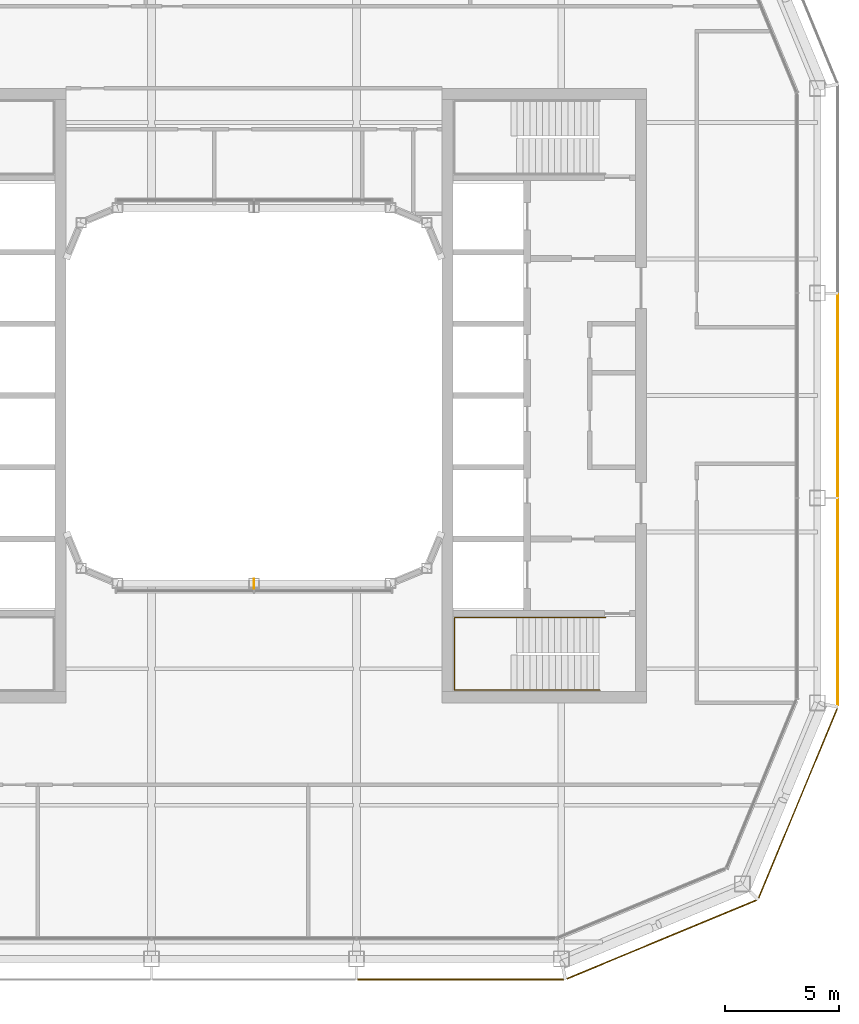
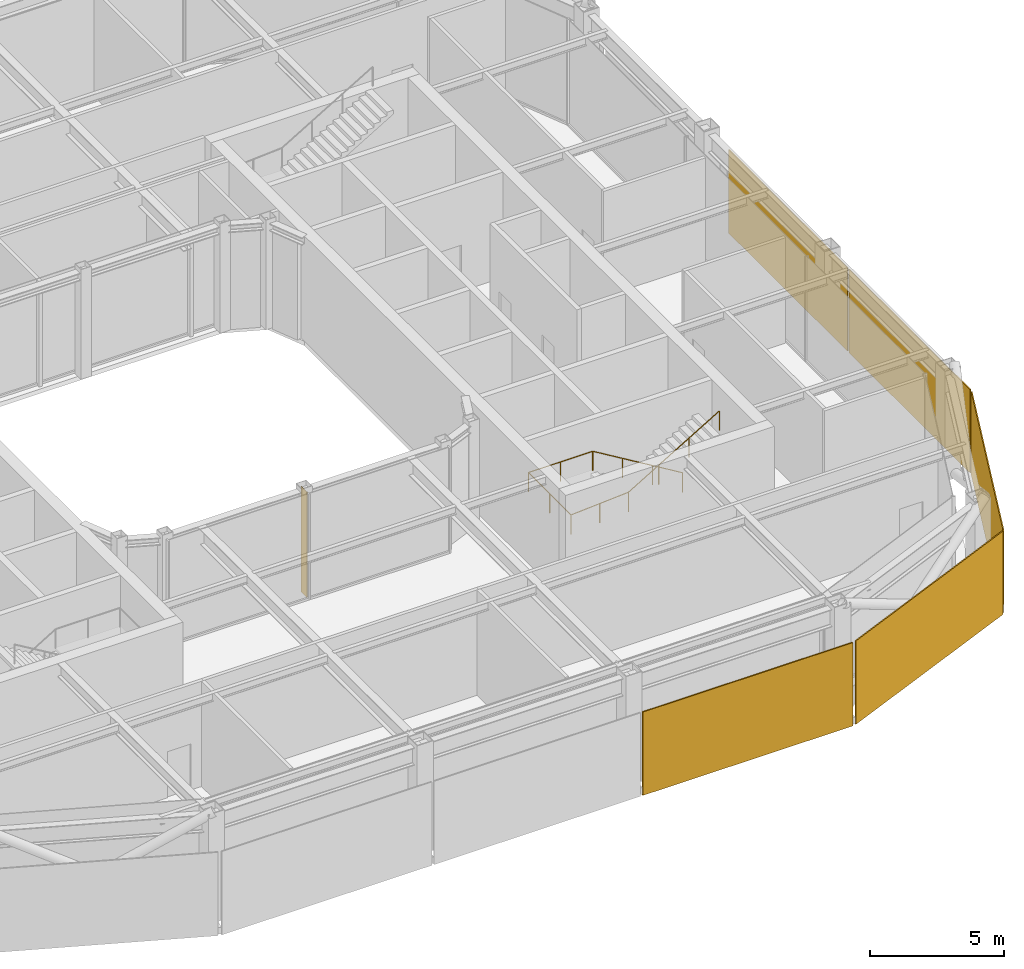
# One storey, part 15 of 17: 5 coverings, 1 railing, 1 shading device.
"""IFC4 building model written with IfcOpenShell, lengths in metres."""

import ifcopenshell
import ifcopenshell.guid

model = None  # the IFC model being written
_history = None  # IfcOwnerHistory: only IFC2X3 demands one
_inside = {}  # id of a spatial element -> (the spatial element, [elements in it])
_under = {}  # id of a project, library or spatial element -> (it, [spatial elements below it])
_declared = {}  # id of a project -> (the project, [libraries it declares])
_typed = {}  # id of a type object -> (the type object, [elements of that type])
_made_of = {}  # id of a material, layer set ... -> (it, [elements and type objects made of it])


def new_model(schema):
    """Start an empty IFC model of exactly this schema.

    Asked for "IFC4X3", IfcOpenShell would pick the latest addendum, in which some entities
    have other attributes; the version numbers below select the first issue.
    IFC2X3 requires an IfcOwnerHistory on every rooted entity: one is made here for all.
    """
    global model, _history
    if schema == "IFC4X3":
        model = ifcopenshell.file(schema_version=(4, 3, 0, 0))
    else:
        model = ifcopenshell.file(schema=schema)
    _inside.clear()
    _under.clear()
    _declared.clear()
    _typed.clear()
    _made_of.clear()
    _history = None
    if model.schema == "IFC2X3":
        org = make("IfcOrganization", Name="unknown")
        user = make(
            "IfcPersonAndOrganization",
            ThePerson=make("IfcPerson", FamilyName="unknown"),
            TheOrganization=org,
        )
        app = make(
            "IfcApplication",
            ApplicationDeveloper=org,
            Version="unknown",
            ApplicationFullName="unknown",
            ApplicationIdentifier="unknown",
        )
        _history = make(
            "IfcOwnerHistory",
            OwningUser=user,
            OwningApplication=app,
            ChangeAction="ADDED",
            CreationDate=0,
        )
    return model


def make(cls, **values):
    """One entity of the class cls with the attributes given. An attribute that is None is left unset."""
    return model.create_entity(
        cls, **{name: value for name, value in values.items() if value is not None}
    )


def rooted(cls, **values):
    """An entity with a GlobalId (a new one), such as an element, a storey or a relation."""
    return make(cls, GlobalId=ifcopenshell.guid.new(), OwnerHistory=_history, **values)


def si_unit(unit_type, name, prefix=None):
    """IfcSIUnit, for example si_unit("LENGTHUNIT", "METRE", prefix="MILLI")."""
    return make("IfcSIUnit", UnitType=unit_type, Prefix=prefix, Name=name)


def assignment(units):
    """IfcUnitAssignment: the units of a project."""
    return None if units is None else make("IfcUnitAssignment", Units=units)


def point(xyz):
    """IfcCartesianPoint."""
    return None if xyz is None else make("IfcCartesianPoint", Coordinates=xyz)


def direction(xyz):
    """IfcDirection."""
    return None if xyz is None else make("IfcDirection", DirectionRatios=xyz)


def frame(location, z_axis=None, x_axis=None):
    """IfcAxis2Placement3D, a coordinate frame: its origin and axes. An axis left out is left unset."""
    return make(
        "IfcAxis2Placement3D",
        Location=point(location),
        Axis=direction(z_axis),
        RefDirection=direction(x_axis),
    )


def frame_2d(location, x_axis=None):
    """IfcAxis2Placement2D, a coordinate frame in the plane: its origin and x axis."""
    return make(
        "IfcAxis2Placement2D", Location=point(location), RefDirection=direction(x_axis)
    )


def origin():
    """The frame at (0, 0, 0) with its axes left unset."""
    return frame((0.0, 0.0, 0.0))


def origin_2d():
    """The frame at (0, 0) in the plane with its x axis left unset."""
    return frame_2d((0.0, 0.0))


def place(relative_to, where):
    """IfcLocalPlacement: puts the frame where relative to a parent placement (None: the world)."""
    return make(
        "IfcLocalPlacement", PlacementRelTo=relative_to, RelativePlacement=where
    )


def context(
    kind, dimensions, precision=None, world=None, true_north=None, identifier=None
):
    """IfcGeometricRepresentationContext, for example the 3D "Model" context."""
    return make(
        "IfcGeometricRepresentationContext",
        ContextIdentifier=identifier,
        ContextType=kind,
        CoordinateSpaceDimension=dimensions,
        Precision=precision,
        WorldCoordinateSystem=world,
        TrueNorth=true_north,
    )


def subcontext(parent, identifier, kind, view, scale=None):
    """IfcGeometricRepresentationSubContext, for example "Body" below "Model"."""
    return make(
        "IfcGeometricRepresentationSubContext",
        ContextIdentifier=identifier,
        ContextType=kind,
        ParentContext=parent,
        TargetScale=scale,
        TargetView=view,
    )


def project(units=None, contexts=None):
    """IfcProject with its units and contexts."""
    return rooted(
        "IfcProject",
        Name="project",
        RepresentationContexts=contexts,
        UnitsInContext=assignment(units),
    )


def spatial(cls, under=None, at=None, **own):
    """A site, building, storey or space (cls), placed at a placement, below another one or the project."""
    s = rooted(cls, ObjectPlacement=at, **own)
    if under is not None:
        _under.setdefault(under.id(), (under, []))[1].append(s)
    return s


def profile(cls, at=None, kind="AREA", **sizes):
    """A parametric profile (cls). Its sizes go by their IFC names, for example OverallWidth=200.0."""
    return make(cls, ProfileType=kind, Position=at, **sizes)


def rectangle(**sizes):
    """IfcRectangleProfileDef."""
    return profile("IfcRectangleProfileDef", **sizes)


def circle(**sizes):
    """IfcCircleProfileDef."""
    return profile("IfcCircleProfileDef", **sizes)


def extrude(swept, where, along, depth):
    """IfcExtrudedAreaSolid: the profile swept, set in the frame where, extruded along a direction by depth."""
    return make(
        "IfcExtrudedAreaSolid",
        SweptArea=swept,
        Position=where,
        ExtrudedDirection=direction(along),
        Depth=depth,
    )


def shape(context_of_items, identifier, shape_type, items):
    """IfcShapeRepresentation: the items that make up one representation, for example the "Body"."""
    return make(
        "IfcShapeRepresentation",
        ContextOfItems=context_of_items,
        RepresentationIdentifier=identifier,
        RepresentationType=shape_type,
        Items=items,
    )


def material(Name=None, Category=None):
    """IfcMaterial."""
    return make("IfcMaterial", Name=Name, Category=Category)


def layer(
    of_material, thickness, ventilated=None, Name=None, Category=None, Priority=None
):
    """IfcMaterialLayer: one layer of a wall or slab, of a material (None: an air gap)."""
    return make(
        "IfcMaterialLayer",
        Material=of_material,
        LayerThickness=thickness,
        IsVentilated=ventilated,
        Name=Name,
        Category=Category,
        Priority=Priority,
    )


def layer_set(layers, Name=None):
    """IfcMaterialLayerSet."""
    return make("IfcMaterialLayerSet", MaterialLayers=layers, LayerSetName=Name)


def made_of(thing, what):
    """Note that an element or type object is made of a material, layer set ...; save() writes the relation."""
    if what is not None:
        _made_of.setdefault(what.id(), (what, []))[1].append(thing)
    return thing


def type_object(cls, material=None, **own):
    """A type object (cls), such as IfcWallType, which elements share."""
    return made_of(rooted(cls, **own), material)


def element(
    cls,
    number,
    at=None,
    inside=None,
    cuts=None,
    type_object=None,
    material=None,
    context=None,
    identifier="Body",
    shape_type=None,
    held_by="IfcProductDefinitionShape",
    body=None,
    shapes=None,
    **own,
):
    """One element of the class cls, such as IfcWall. Its Tag is "e" and its number.

    at: its placement. inside: the storey or other place that contains it. cuts: it is an
    opening in that element (IfcRelVoidsElement). A single representation is given by context,
    identifier, shape_type and body (its items); several are given by shapes. held_by: the class
    of the entity that holds the representations. save() writes the other relations.
    """
    e = rooted(cls, Tag="e%d" % number, ObjectPlacement=at, **own)
    if body is not None:
        shapes = [shape(context, identifier, shape_type, body)]
    if shapes is not None:
        e.Representation = make(held_by, Representations=shapes)
    if inside is not None:
        _inside.setdefault(inside.id(), (inside, []))[1].append(e)
    if cuts is not None:
        rooted(
            "IfcRelVoidsElement", RelatingBuildingElement=cuts, RelatedOpeningElement=e
        )
    if type_object is not None:
        _typed.setdefault(type_object.id(), (type_object, []))[1].append(e)
    return made_of(e, material)


def aggregate(whole, parts):
    """IfcRelAggregates: a whole, such as a stair, and the parts it consists of."""
    return rooted("IfcRelAggregates", RelatingObject=whole, RelatedObjects=parts)


def save(model, path):
    """Write the relations noted so far, then the file.

    IfcRelAggregates (storeys below a building ...), IfcRelContainedInSpatialStructure (elements
    in a storey), IfcRelDefinesByType, IfcRelAssociatesMaterial and IfcRelDeclares: one each for
    every whole, place, type object, material and project.
    """
    for whole, parts in _under.values():
        aggregate(whole, parts)
    for where, things in _inside.values():
        rooted(
            "IfcRelContainedInSpatialStructure",
            RelatedElements=things,
            RelatingStructure=where,
        )
    for kind, things in _typed.values():
        rooted("IfcRelDefinesByType", RelatedObjects=things, RelatingType=kind)
    for what, things in _made_of.values():
        rooted("IfcRelAssociatesMaterial", RelatedObjects=things, RelatingMaterial=what)
    for by, libraries in _declared.values():
        rooted("IfcRelDeclares", RelatingContext=by, RelatedDefinitions=libraries)
    model.write(path)


model = new_model("IFC4")

# Units and contexts
model_context = context("Model", 3, precision=1e-05, world=origin(), true_north=direction((0.0, 1.0)))
body_context = subcontext(model_context, "Body", "Model", "MODEL_VIEW")
ifc_project = project(units=[si_unit("LENGTHUNIT", "METRE"), si_unit("AREAUNIT", "SQUARE_METRE"), si_unit("VOLUMEUNIT", "CUBIC_METRE"), si_unit("PLANEANGLEUNIT", "RADIAN"), si_unit("MASSUNIT", "GRAM", prefix="KILO")], contexts=[model_context])

# Site, building, storey
site_placement = place(None, origin())
site = spatial("IfcSite", under=ifc_project, at=site_placement, CompositionType="ELEMENT")
building_placement = place(site_placement, origin())
building = spatial("IfcBuilding", under=site, at=building_placement, Name="Siwar Civic Tower", CompositionType="ELEMENT")
storey_placement = place(building_placement, frame((0.0, 0.0, 348.199951171875)))
storey = spatial("IfcBuildingStorey", under=building, at=storey_placement, Name="L75", CompositionType="ELEMENT", Elevation=348.199951171875)

# Railing
ifc_material_1 = material(Name="Stainless steel", Category="steel")
railing_type = type_object("IfcRailingType", Name="CORE-STAIR-HANDRAIL", PredefinedType="HANDRAIL", material=ifc_material_1)
railing_placement = place(storey_placement, frame((15.449951171875, -9.758056640625, 0.166748046875)))
element("IfcRailing", 1, at=railing_placement, inside=storey, type_object=railing_type, Name="Stair handrail ST4", PredefinedType="HANDRAIL", context=body_context, shape_type="SweptSolid", body=[
    extrude(circle(Radius=0.02001953125, at=origin_2d()), frame((0.0, 0.0, 0.8798828125), z_axis=(-0.856384976194, 0.0, 0.516337847296), x_axis=(0.0, -1.0, 0.0)), (0.0, 0.0, 1.0), 4.518798828125),
    extrude(circle(Radius=0.02001953125, at=origin_2d()), frame((-3.869873046875, 0.0, 3.213134765625), z_axis=(-1.0, 0.0, 0.0), x_axis=(0.0, -1.0, 0.0)), (0.0, 0.0, 1.0), 2.77197265625),
    extrude(circle(Radius=0.02001953125, at=origin_2d()), frame((-6.641845703125, 0.0, 3.213134765625), z_axis=(0.0, -1.0, 0.0), x_axis=(1.0, 0.0, 0.0)), (0.0, 0.0, 1.0), 3.183837890625),
    extrude(circle(Radius=0.02001953125, at=origin_2d()), frame((-6.641845703125, -3.183837890625, 3.213134765625), z_axis=(0.997732526271, 0.0, 0.067303833624), x_axis=(0.0, 1.0, 0.0)), (0.0, 0.0, 1.0), 2.4775390625),
    extrude(circle(Radius=0.02001953125, at=origin_2d()), frame((-4.169921875, -3.183837890625, 3.3798828125), z_axis=(0.859296244711, 0.0, 0.511478214419), x_axis=(0.0, 1.0, 0.0)), (0.0, 0.0, 1.0), 4.561767578125),
    extrude(circle(Radius=0.02001953125, at=origin_2d()), origin(), (0.0, 0.0, 1.0), 0.85986328125),
    extrude(circle(Radius=0.02001953125, at=origin_2d()), frame((-1.2900390625, 0.0, 0.77783203125)), (0.0, 0.0, 1.0), 0.85986328125),
    extrude(circle(Radius=0.02001953125, at=origin_2d()), frame((-2.579833984375, 0.0, 1.555419921875)), (0.0, 0.0, 1.0), 0.85986328125),
    extrude(circle(Radius=0.02001953125, at=origin_2d()), frame((-3.869873046875, 0.0, 2.333251953125)), (0.0, 0.0, 1.0), 0.85986328125),
    extrude(circle(Radius=0.02001953125, at=origin_2d()), frame((-5.255859375, 0.0, 2.333251953125)), (0.0, 0.0, 1.0), 0.85986328125),
    extrude(circle(Radius=0.02001953125, at=origin_2d()), frame((-6.641845703125, 0.0, 2.333251953125)), (0.0, 0.0, 1.0), 0.85986328125),
    extrude(circle(Radius=0.02001953125, at=origin_2d()), frame((-6.641845703125, -1.591796875, 2.333251953125)), (0.0, 0.0, 1.0), 0.85986328125),
    extrude(circle(Radius=0.02001953125, at=origin_2d()), frame((-6.641845703125, -3.183837890625, 2.333251953125)), (0.0, 0.0, 1.0), 0.85986328125),
    extrude(circle(Radius=0.02001953125, at=origin_2d()), frame((-5.40576171875, -3.183837890625, 2.41650390625)), (0.0, 0.0, 1.0), 0.85986328125),
    extrude(circle(Radius=0.02001953125, at=origin_2d()), frame((-4.169921875, -3.183837890625, 2.5)), (0.0, 0.0, 1.0), 0.85986328125),
    extrude(circle(Radius=0.02001953125, at=origin_2d()), frame((-2.86328125, -3.183837890625, 3.27783203125)), (0.0, 0.0, 1.0), 0.85986328125),
    extrude(circle(Radius=0.02001953125, at=origin_2d()), frame((-1.556640625, -3.183837890625, 4.055419921875)), (0.0, 0.0, 1.0), 0.85986328125),
    extrude(circle(Radius=0.02001953125, at=origin_2d()), frame((-0.25, -3.183837890625, 4.833251953125)), (0.0, 0.0, 1.0), 0.85986328125),
])

# Shading device
ifc_material_2 = material(Name="Aluminium 6063-T6", Category="aluminium")
ifc_layer_1 = layer(ifc_material_2, 0.02001953125)
ifc_layer_set_1 = layer_set([ifc_layer_1], Name="Aluminium 6063-T6")
shading_device_type = type_object("IfcShadingDeviceType", Name="ENV-FIN", PredefinedType="JALOUSIE", material=ifc_layer_set_1)
shading_device_placement = place(storey_placement, frame((0.0, -8.27001953125, 0.0), z_axis=(0.0, 0.0, 1.0), x_axis=(1.0, 0.0, 0.0)))
element("IfcShadingDevice", 2, at=shading_device_placement, inside=storey, type_object=shading_device_type, Name="SUNSHADE fin WS 1", PredefinedType="JALOUSIE", context=body_context, shape_type="SweptSolid", body=[
    extrude(rectangle(XDim=0.02001953125, YDim=0.449951171875, at=origin_2d()), origin(), (0.0, 0.0, 1.0), 4.800048828125),
])

# Coverings
ifc_material_3 = material(Name="Perforated aluminium cassette, pale metal", Category="aluminium")
ifc_layer_2 = layer(ifc_material_3, 0.0400390625)
ifc_layer_set_2 = layer_set([ifc_layer_2], Name="Perforated aluminium cassette, pale metal")
covering_type_1 = type_object("IfcCoveringType", Name="ENV-OUTER SKIN OS-1", PredefinedType="CLADDING", material=ifc_layer_set_2)
covering_1_placement = place(storey_placement, frame((25.64990234375, -9.07958984375, -0.2001953125), z_axis=(0.0, 0.0, 1.0), x_axis=(0.0, 1.0, 0.0)))
element("IfcCovering", 3, at=covering_1_placement, inside=storey, type_object=covering_type_1, Name="OUTER SKIN OS-1 E 1", PredefinedType="CLADDING", context=body_context, shape_type="SweptSolid", body=[
    extrude(rectangle(XDim=9.05908203125, YDim=0.0400390625, at=origin_2d()), origin(), (0.0, 0.0, 1.0), 3.800048828125),
])
covering_2_placement = place(storey_placement, frame((25.64990234375, 0.0, -0.2001953125), z_axis=(0.0, 0.0, 1.0), x_axis=(0.0, 1.0, 0.0)))
element("IfcCovering", 4, at=covering_2_placement, inside=storey, type_object=covering_type_1, Name="OUTER SKIN OS-1 E 2", PredefinedType="CLADDING", context=body_context, shape_type="SweptSolid", body=[
    extrude(rectangle(XDim=8.89990234375, YDim=0.0400390625, at=origin_2d()), origin(), (0.0, 0.0, 1.0), 3.800048828125),
])
ifc_material_4 = material(Name="Perforated aluminium cassette, pale metal", Category="aluminium")
ifc_layer_3 = layer(ifc_material_4, 0.044921875)
ifc_layer_set_3 = layer_set([ifc_layer_3], Name="Perforated aluminium cassette, pale metal")
covering_type_2 = type_object("IfcCoveringType", Name="ENV-OUTER SKIN OS-2", PredefinedType="CLADDING", material=ifc_layer_set_3)
covering_3_placement = place(storey_placement, frame((23.89697265625, -17.911376953125, -0.2001953125), z_axis=(0.0, 0.0, 1.0), x_axis=(0.382683432365, 0.923879532511, 0.0)))
element("IfcCovering", 5, at=covering_3_placement, inside=storey, type_object=covering_type_2, Name="OUTER SKIN OS-2 SE2 1", PredefinedType="CLADDING", context=body_context, shape_type="SweptSolid", body=[
    extrude(rectangle(XDim=9.022216796875, YDim=0.044921875, at=origin_2d()), origin(), (0.0, 0.0, 1.0), 3.800048828125),
])
ifc_material_5 = material(Name="Perforated aluminium cassette, pale metal", Category="aluminium")
ifc_layer_4 = layer(ifc_material_5, 0.050048828125)
ifc_layer_set_4 = layer_set([ifc_layer_4], Name="Perforated aluminium cassette, pale metal")
covering_type_3 = type_object("IfcCoveringType", Name="ENV-OUTER SKIN OS-3", PredefinedType="CLADDING", material=ifc_layer_set_4)
covering_4_placement = place(storey_placement, frame((17.911376953125, -23.89697265625, -0.2001953125), z_axis=(0.0, 0.0, 1.0), x_axis=(0.923879532511, 0.382683432365, 0.0)))
element("IfcCovering", 6, at=covering_4_placement, inside=storey, type_object=covering_type_3, Name="OUTER SKIN OS-3 SE1 1", PredefinedType="CLADDING", context=body_context, shape_type="SweptSolid", body=[
    extrude(rectangle(XDim=9.022216796875, YDim=0.050048828125, at=origin_2d()), origin(), (0.0, 0.0, 1.0), 3.800048828125),
])
ifc_material_6 = material(Name="Perforated aluminium cassette, pale metal", Category="aluminium")
ifc_layer_5 = layer(ifc_material_6, 0.054931640625)
ifc_layer_set_5 = layer_set([ifc_layer_5], Name="Perforated aluminium cassette, pale metal")
covering_type_4 = type_object("IfcCoveringType", Name="ENV-OUTER SKIN OS-4", PredefinedType="CLADDING", material=ifc_layer_set_5)
covering_5_placement = place(storey_placement, frame((9.07958984375, -25.64990234375, -0.2001953125), z_axis=(0.0, 0.0, 1.0), x_axis=(1.0, 0.0, 0.0)))
element("IfcCovering", 7, at=covering_5_placement, inside=storey, type_object=covering_type_4, Name="OUTER SKIN OS-4 S 3", PredefinedType="CLADDING", context=body_context, shape_type="SweptSolid", body=[
    extrude(rectangle(XDim=9.05908203125, YDim=0.054931640625, at=origin_2d()), origin(), (0.0, 0.0, 1.0), 3.800048828125),
])

save(model, "model.ifc")
